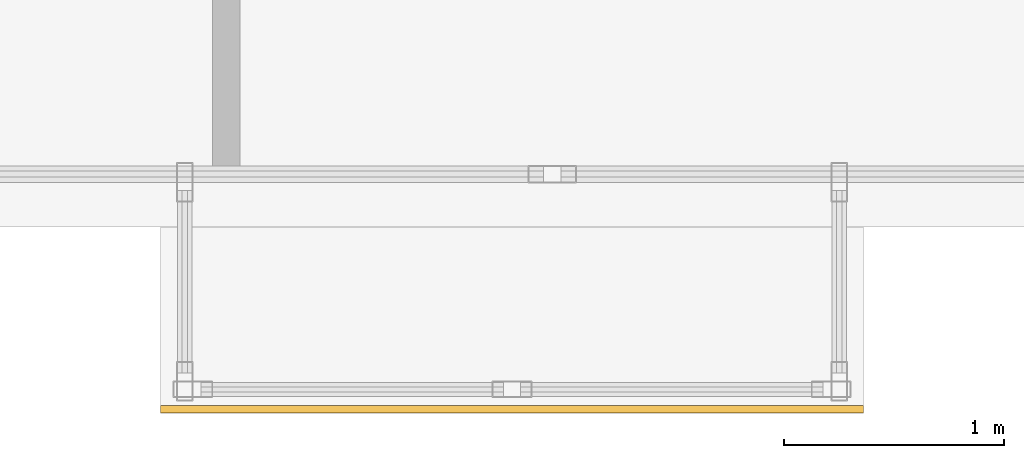
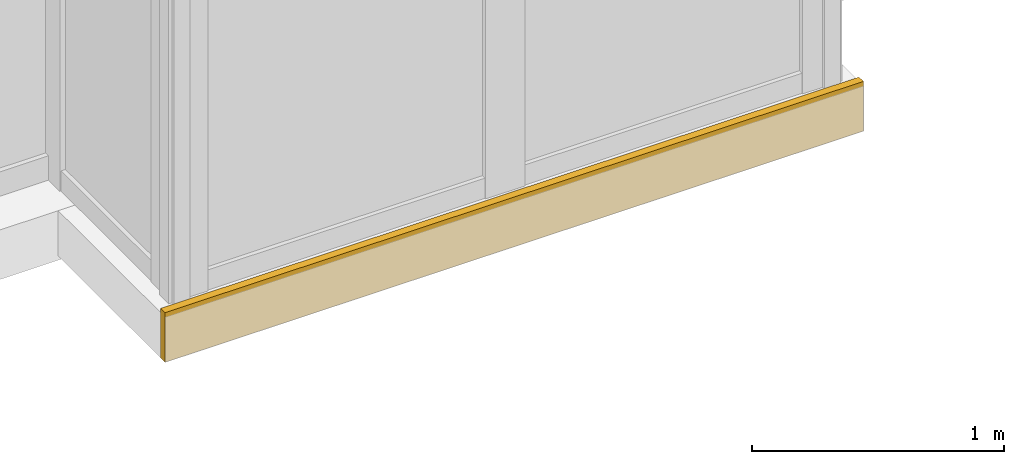
# One storey, part 22 of 23: 1 covering.
"""IFC4 building model written with IfcOpenShell, lengths in metres."""

from ifc_helpers import new_model, si_unit, direction, frame, origin, origin_2d, place, context, subcontext, project, spatial, rectangle, extrude, material, layer, layer_set, type_object, element, save


model = new_model("IFC4")

# Units and contexts
model_context = context("Model", 3, precision=1e-05, world=origin(), true_north=direction((0.0, 1.0)))
body_context = subcontext(model_context, "Body", "Model", "MODEL_VIEW")
ifc_project = project(units=[si_unit("LENGTHUNIT", "METRE"), si_unit("AREAUNIT", "SQUARE_METRE"), si_unit("VOLUMEUNIT", "CUBIC_METRE"), si_unit("PLANEANGLEUNIT", "RADIAN"), si_unit("MASSUNIT", "GRAM", prefix="KILO")], contexts=[model_context])

# Site, building, storey
site_placement = place(None, origin())
site = spatial("IfcSite", under=ifc_project, at=site_placement, CompositionType="ELEMENT")
building_placement = place(site_placement, origin())
building = spatial("IfcBuilding", under=site, at=building_placement, Name="Kolvaren Waterfront Exchange", CompositionType="ELEMENT")
storey_placement = place(building_placement, frame((0.0, 0.0, 335.0)))
storey = spatial("IfcBuildingStorey", under=building, at=storey_placement, Name="L86", CompositionType="ELEMENT", Elevation=335.0)

# Covering
ifc_material = material(Name="Anodised bronze fascia aluminium", Category="aluminium")
ifc_layer = layer(ifc_material, 0.034912109375, Name="Anodised bronze fascia aluminium")
ifc_layer_set = layer_set([ifc_layer], Name="Anodised bronze fascia aluminium")
covering_type = type_object("IfcCoveringType", Name="ARC-CLAD-BRONZE-35", PredefinedType="CLADDING", material=ifc_layer_set)
covering_placement = place(storey_placement, frame((40.5, 2.77001953125, -0.22021484375), z_axis=(0.0, 0.0, 1.0), x_axis=(1.0, 0.0, 0.0)))
element("IfcCovering", 1, at=covering_placement, inside=storey, type_object=covering_type, Name="L86 ribbed anodised bronze bay-box fascia", PredefinedType="CLADDING", context=body_context, shape_type="SweptSolid", body=[
    extrude(rectangle(XDim=3.199951171875, YDim=0.034912109375, at=origin_2d()), origin(), (0.0, 0.0, 1.0), 0.239990234375),
])

save(model, "model.ifc")
